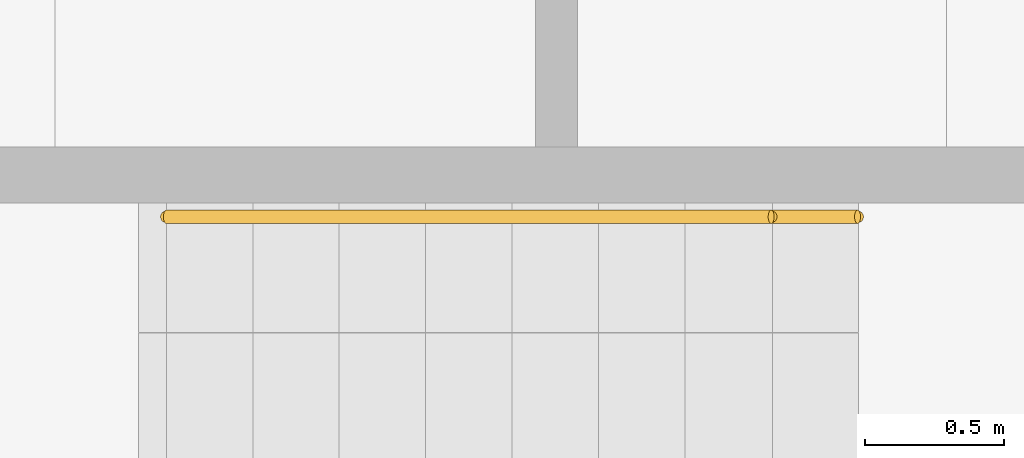
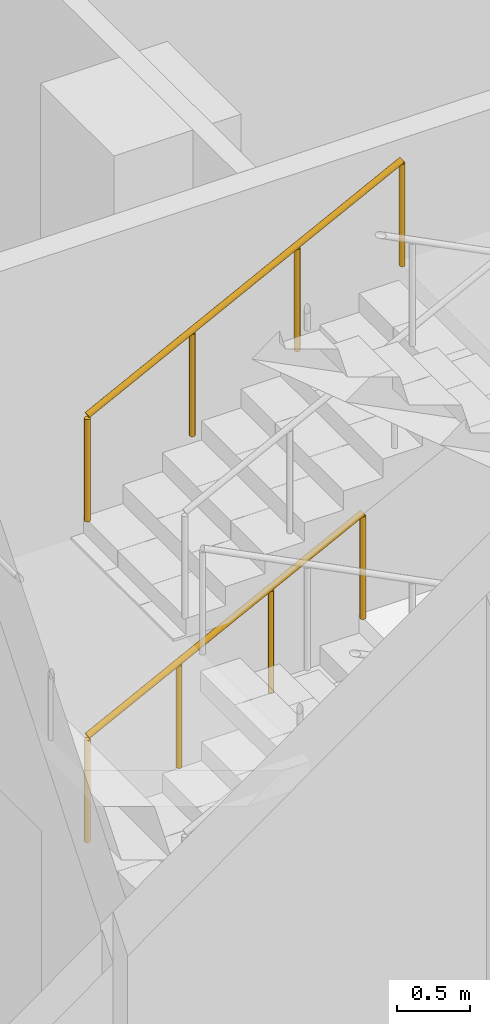
# One storey, part 19 of 20: 2 railings, 1 element without a shape of its own.
"""IFC4 building model written with IfcOpenShell, lengths in metres."""

from ifc_helpers import new_model, si_unit, direction, frame, origin, origin_2d, place, context, subcontext, project, spatial, circle, extrude, material, type_object, element, aggregate, save


model = new_model("IFC4")

# Units and contexts
model_context = context("Model", 3, precision=1e-05, world=origin(), true_north=direction((0.0, 1.0)))
body_context = subcontext(model_context, "Body", "Model", "MODEL_VIEW")
ifc_project = project(units=[si_unit("LENGTHUNIT", "METRE"), si_unit("AREAUNIT", "SQUARE_METRE"), si_unit("VOLUMEUNIT", "CUBIC_METRE"), si_unit("PLANEANGLEUNIT", "RADIAN"), si_unit("MASSUNIT", "GRAM", prefix="KILO")], contexts=[model_context])

# Site, building, storey
site_placement = place(None, origin())
site = spatial("IfcSite", under=ifc_project, at=site_placement, CompositionType="ELEMENT")
building_placement = place(site_placement, origin())
building = spatial("IfcBuilding", under=site, at=building_placement, Name="Triada Interchange Tower", CompositionType="ELEMENT")
storey_placement = place(building_placement, frame((0.0, 0.0, -5.5)))
storey = spatial("IfcBuildingStorey", under=building, at=storey_placement, Name="B1", CompositionType="ELEMENT", Elevation=-5.5)

# Stair, railings
ifc_material_1 = material(Name="Concrete C35/45", Category="concrete")
stair_type = type_object("IfcStairType", Name="HALF TURN STAIR 1400", PredefinedType="HALF_TURN_STAIR", material=ifc_material_1)
stair_placement = place(storey_placement, origin())
stair = element("IfcStair", 1, at=stair_placement, inside=storey, type_object=stair_type, Name="Exit stair SB1-9", PredefinedType="HALF_TURN_STAIR")
ifc_material_2 = material(Name="Stainless steel 1.4301", Category="steel")
railing_type = type_object("IfcRailingType", Name="STAIR HANDRAIL 900", PredefinedType="HANDRAIL", material=ifc_material_2)
railing_1_placement = place(storey_placement, frame((29.60009765625, -28.25, 0.156982421875)))
railing_1 = element("IfcRailing", 2, at=railing_1_placement, type_object=railing_type, Name="Handrail SB1-9 1W", PredefinedType="HANDRAIL", context=body_context, shape_type="SweptSolid", body=[
    extrude(circle(Radius=0.02392578125, at=origin_2d()), frame((0.0, 0.0, 0.8759765625), z_axis=(0.891924622744, 0.0, 0.452184107795), x_axis=(0.0, 1.0, 0.0)), (0.0, 0.0, 1.0), 2.432861328125),
    extrude(circle(Radius=0.02099609375, at=origin_2d()), origin(), (0.0, 0.0, 1.0), 0.851806640625),
    extrude(circle(Radius=0.02099609375, at=origin_2d()), frame((0.723388671875, 0.0, 0.36669921875)), (0.0, 0.0, 1.0), 0.851806640625),
    extrude(circle(Radius=0.02099609375, at=origin_2d()), frame((1.446533203125, 0.0, 0.7333984375)), (0.0, 0.0, 1.0), 0.851806640625),
    extrude(circle(Radius=0.02099609375, at=origin_2d()), frame((2.169921875, 0.0, 1.10009765625)), (0.0, 0.0, 1.0), 0.851806640625),
])
railing_2_placement = place(storey_placement, frame((29.60009765625, -28.25, 2.82861328125)))
railing_2 = element("IfcRailing", 3, at=railing_2_placement, type_object=railing_type, Name="Handrail SB1-9 3W", PredefinedType="HANDRAIL", context=body_context, shape_type="SweptSolid", body=[
    extrude(circle(Radius=0.02392578125, at=origin_2d()), frame((0.0, 0.0, 0.8759765625), z_axis=(0.89195504639, 0.0, 0.452124092721), x_axis=(0.0, 1.0, 0.0)), (0.0, 0.0, 1.0), 2.7802734375),
    extrude(circle(Radius=0.02099609375, at=origin_2d()), origin(), (0.0, 0.0, 1.0), 0.851806640625),
    extrude(circle(Radius=0.02099609375, at=origin_2d()), frame((0.82666015625, 0.0, 0.4189453125)), (0.0, 0.0, 1.0), 0.851806640625),
    extrude(circle(Radius=0.02099609375, at=origin_2d()), frame((1.6533203125, 0.0, 0.838134765625)), (0.0, 0.0, 1.0), 0.851806640625),
    extrude(circle(Radius=0.02099609375, at=origin_2d()), frame((2.47998046875, 0.0, 1.257080078125)), (0.0, 0.0, 1.0), 0.851806640625),
])
aggregate(stair, [railing_1, railing_2])

save(model, "model.ifc")
